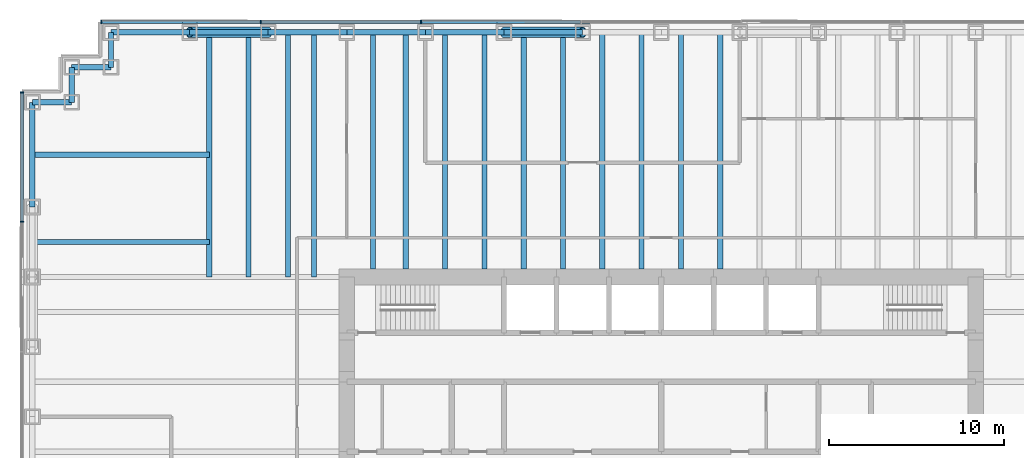
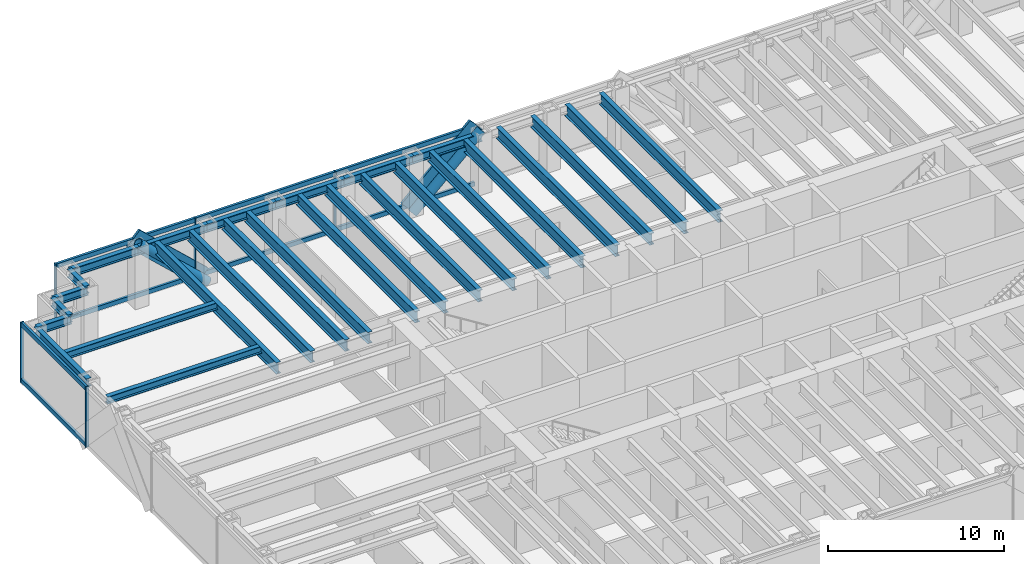
# One storey, part 6 of 15: 27 beams, 17 members, 2 elements without a shape of their own.
"""IFC4 building model written with IfcOpenShell, lengths in metres."""

import ifcopenshell
import ifcopenshell.guid

model = None  # the IFC model being written
_history = None  # IfcOwnerHistory: only IFC2X3 demands one
_inside = {}  # id of a spatial element -> (the spatial element, [elements in it])
_under = {}  # id of a project, library or spatial element -> (it, [spatial elements below it])
_declared = {}  # id of a project -> (the project, [libraries it declares])
_typed = {}  # id of a type object -> (the type object, [elements of that type])
_made_of = {}  # id of a material, layer set ... -> (it, [elements and type objects made of it])


def new_model(schema):
    """Start an empty IFC model of exactly this schema.

    Asked for "IFC4X3", IfcOpenShell would pick the latest addendum, in which some entities
    have other attributes; the version numbers below select the first issue.
    IFC2X3 requires an IfcOwnerHistory on every rooted entity: one is made here for all.
    """
    global model, _history
    if schema == "IFC4X3":
        model = ifcopenshell.file(schema_version=(4, 3, 0, 0))
    else:
        model = ifcopenshell.file(schema=schema)
    _inside.clear()
    _under.clear()
    _declared.clear()
    _typed.clear()
    _made_of.clear()
    _history = None
    if model.schema == "IFC2X3":
        org = make("IfcOrganization", Name="unknown")
        user = make(
            "IfcPersonAndOrganization",
            ThePerson=make("IfcPerson", FamilyName="unknown"),
            TheOrganization=org,
        )
        app = make(
            "IfcApplication",
            ApplicationDeveloper=org,
            Version="unknown",
            ApplicationFullName="unknown",
            ApplicationIdentifier="unknown",
        )
        _history = make(
            "IfcOwnerHistory",
            OwningUser=user,
            OwningApplication=app,
            ChangeAction="ADDED",
            CreationDate=0,
        )
    return model


def make(cls, **values):
    """One entity of the class cls with the attributes given. An attribute that is None is left unset."""
    return model.create_entity(
        cls, **{name: value for name, value in values.items() if value is not None}
    )


def rooted(cls, **values):
    """An entity with a GlobalId (a new one), such as an element, a storey or a relation."""
    return make(cls, GlobalId=ifcopenshell.guid.new(), OwnerHistory=_history, **values)


def si_unit(unit_type, name, prefix=None):
    """IfcSIUnit, for example si_unit("LENGTHUNIT", "METRE", prefix="MILLI")."""
    return make("IfcSIUnit", UnitType=unit_type, Prefix=prefix, Name=name)


def assignment(units):
    """IfcUnitAssignment: the units of a project."""
    return None if units is None else make("IfcUnitAssignment", Units=units)


def point(xyz):
    """IfcCartesianPoint."""
    return None if xyz is None else make("IfcCartesianPoint", Coordinates=xyz)


def direction(xyz):
    """IfcDirection."""
    return None if xyz is None else make("IfcDirection", DirectionRatios=xyz)


def frame(location, z_axis=None, x_axis=None):
    """IfcAxis2Placement3D, a coordinate frame: its origin and axes. An axis left out is left unset."""
    return make(
        "IfcAxis2Placement3D",
        Location=point(location),
        Axis=direction(z_axis),
        RefDirection=direction(x_axis),
    )


def frame_2d(location, x_axis=None):
    """IfcAxis2Placement2D, a coordinate frame in the plane: its origin and x axis."""
    return make(
        "IfcAxis2Placement2D", Location=point(location), RefDirection=direction(x_axis)
    )


def origin():
    """The frame at (0, 0, 0) with its axes left unset."""
    return frame((0.0, 0.0, 0.0))


def origin_2d():
    """The frame at (0, 0) in the plane with its x axis left unset."""
    return frame_2d((0.0, 0.0))


def place(relative_to, where):
    """IfcLocalPlacement: puts the frame where relative to a parent placement (None: the world)."""
    return make(
        "IfcLocalPlacement", PlacementRelTo=relative_to, RelativePlacement=where
    )


def context(
    kind, dimensions, precision=None, world=None, true_north=None, identifier=None
):
    """IfcGeometricRepresentationContext, for example the 3D "Model" context."""
    return make(
        "IfcGeometricRepresentationContext",
        ContextIdentifier=identifier,
        ContextType=kind,
        CoordinateSpaceDimension=dimensions,
        Precision=precision,
        WorldCoordinateSystem=world,
        TrueNorth=true_north,
    )


def subcontext(parent, identifier, kind, view, scale=None):
    """IfcGeometricRepresentationSubContext, for example "Body" below "Model"."""
    return make(
        "IfcGeometricRepresentationSubContext",
        ContextIdentifier=identifier,
        ContextType=kind,
        ParentContext=parent,
        TargetScale=scale,
        TargetView=view,
    )


def project(units=None, contexts=None):
    """IfcProject with its units and contexts."""
    return rooted(
        "IfcProject",
        Name="project",
        RepresentationContexts=contexts,
        UnitsInContext=assignment(units),
    )


def spatial(cls, under=None, at=None, **own):
    """A site, building, storey or space (cls), placed at a placement, below another one or the project."""
    s = rooted(cls, ObjectPlacement=at, **own)
    if under is not None:
        _under.setdefault(under.id(), (under, []))[1].append(s)
    return s


def profile(cls, at=None, kind="AREA", **sizes):
    """A parametric profile (cls). Its sizes go by their IFC names, for example OverallWidth=200.0."""
    return make(cls, ProfileType=kind, Position=at, **sizes)


def rectangle(**sizes):
    """IfcRectangleProfileDef."""
    return profile("IfcRectangleProfileDef", **sizes)


def hollow_circle(**sizes):
    """IfcCircleHollowProfileDef."""
    return profile("IfcCircleHollowProfileDef", **sizes)


def i_section(**sizes):
    """IfcIShapeProfileDef."""
    return profile("IfcIShapeProfileDef", **sizes)


def extrude(swept, where, along, depth):
    """IfcExtrudedAreaSolid: the profile swept, set in the frame where, extruded along a direction by depth."""
    return make(
        "IfcExtrudedAreaSolid",
        SweptArea=swept,
        Position=where,
        ExtrudedDirection=direction(along),
        Depth=depth,
    )


def shape(context_of_items, identifier, shape_type, items):
    """IfcShapeRepresentation: the items that make up one representation, for example the "Body"."""
    return make(
        "IfcShapeRepresentation",
        ContextOfItems=context_of_items,
        RepresentationIdentifier=identifier,
        RepresentationType=shape_type,
        Items=items,
    )


def material(Name=None, Category=None):
    """IfcMaterial."""
    return make("IfcMaterial", Name=Name, Category=Category)


def material_profile(
    of_material, cross_section, Name=None, Category=None, Priority=None
):
    """IfcMaterialProfile: a cross section and its material."""
    return make(
        "IfcMaterialProfile",
        Name=Name,
        Material=of_material,
        Profile=cross_section,
        Priority=Priority,
        Category=Category,
    )


def profile_set(profiles, Name=None, composite=None):
    """IfcMaterialProfileSet."""
    return make(
        "IfcMaterialProfileSet",
        Name=Name,
        MaterialProfiles=profiles,
        CompositeProfile=composite,
    )


def made_of(thing, what):
    """Note that an element or type object is made of a material, layer set ...; save() writes the relation."""
    if what is not None:
        _made_of.setdefault(what.id(), (what, []))[1].append(thing)
    return thing


def type_object(cls, material=None, **own):
    """A type object (cls), such as IfcWallType, which elements share."""
    return made_of(rooted(cls, **own), material)


def element(
    cls,
    number,
    at=None,
    inside=None,
    cuts=None,
    type_object=None,
    material=None,
    context=None,
    identifier="Body",
    shape_type=None,
    held_by="IfcProductDefinitionShape",
    body=None,
    shapes=None,
    **own,
):
    """One element of the class cls, such as IfcWall. Its Tag is "e" and its number.

    at: its placement. inside: the storey or other place that contains it. cuts: it is an
    opening in that element (IfcRelVoidsElement). A single representation is given by context,
    identifier, shape_type and body (its items); several are given by shapes. held_by: the class
    of the entity that holds the representations. save() writes the other relations.
    """
    e = rooted(cls, Tag="e%d" % number, ObjectPlacement=at, **own)
    if body is not None:
        shapes = [shape(context, identifier, shape_type, body)]
    if shapes is not None:
        e.Representation = make(held_by, Representations=shapes)
    if inside is not None:
        _inside.setdefault(inside.id(), (inside, []))[1].append(e)
    if cuts is not None:
        rooted(
            "IfcRelVoidsElement", RelatingBuildingElement=cuts, RelatedOpeningElement=e
        )
    if type_object is not None:
        _typed.setdefault(type_object.id(), (type_object, []))[1].append(e)
    return made_of(e, material)


def aggregate(whole, parts):
    """IfcRelAggregates: a whole, such as a stair, and the parts it consists of."""
    return rooted("IfcRelAggregates", RelatingObject=whole, RelatedObjects=parts)


def save(model, path):
    """Write the relations noted so far, then the file.

    IfcRelAggregates (storeys below a building ...), IfcRelContainedInSpatialStructure (elements
    in a storey), IfcRelDefinesByType, IfcRelAssociatesMaterial and IfcRelDeclares: one each for
    every whole, place, type object, material and project.
    """
    for whole, parts in _under.values():
        aggregate(whole, parts)
    for where, things in _inside.values():
        rooted(
            "IfcRelContainedInSpatialStructure",
            RelatedElements=things,
            RelatingStructure=where,
        )
    for kind, things in _typed.values():
        rooted("IfcRelDefinesByType", RelatedObjects=things, RelatingType=kind)
    for what, things in _made_of.values():
        rooted("IfcRelAssociatesMaterial", RelatedObjects=things, RelatingMaterial=what)
    for by, libraries in _declared.values():
        rooted("IfcRelDeclares", RelatingContext=by, RelatedDefinitions=libraries)
    model.write(path)


model = new_model("IFC4")

# Units and contexts
model_context = context("Model", 3, precision=1e-05, world=origin(), true_north=direction((0.0, 1.0)))
body_context = subcontext(model_context, "Body", "Model", "MODEL_VIEW")
ifc_project = project(units=[si_unit("LENGTHUNIT", "METRE"), si_unit("AREAUNIT", "SQUARE_METRE"), si_unit("VOLUMEUNIT", "CUBIC_METRE"), si_unit("PLANEANGLEUNIT", "RADIAN"), si_unit("MASSUNIT", "GRAM", prefix="KILO")], contexts=[model_context])

# Site, building, storey
site_placement = place(None, origin())
site = spatial("IfcSite", under=ifc_project, at=site_placement, CompositionType="ELEMENT")
building_placement = place(site_placement, origin())
building = spatial("IfcBuilding", under=site, at=building_placement, Name="Rheinbord Bourse Tower", CompositionType="ELEMENT")
storey_placement = place(building_placement, frame((0.0, 0.0, 146.699951171875)))
storey = spatial("IfcBuildingStorey", under=building, at=storey_placement, Name="L32", CompositionType="ELEMENT", Elevation=146.699951171875)

# Curtain wall, members
ifc_material_1 = material(Name="Dark glass and black aluminium", Category="aluminium")
curtain_wall_type = type_object("IfcCurtainWallType", Name="CW2 DARK GLASS CURTAIN WALL", PredefinedType="USERDEFINED", material=ifc_material_1)
curtain_wall_1_placement = place(storey_placement, origin())
curtain_wall_1 = element("IfcCurtainWall", 1, at=curtain_wall_1_placement, inside=storey, type_object=curtain_wall_type, Name="Curtain wall CW2 N L32", ObjectType="UNITISED CURTAIN WALL", PredefinedType="USERDEFINED")
ifc_material_2 = material(Name="Black anodised aluminium", Category="aluminium")
ifc_material_profile_1 = material_profile(ifc_material_2, rectangle(XDim=0.159912109375, YDim=1.2099609375, at=origin_2d()), Name="CW2 DIAGONAL MULLION 1210x160")
ifc_profile_set_1 = profile_set([ifc_material_profile_1], Name="Black anodised aluminium")
member_type_1 = type_object("IfcMemberType", Name="CW2 BLACK DIAGONAL MULLION", PredefinedType="USERDEFINED", material=ifc_profile_set_1)
member_1_placement = place(storey_placement, frame((27.0, 46.60009765625, 0.0), z_axis=(0.73105922506, 0.0, 0.682314010889), x_axis=(0.0, 1.0, 0.0)))
member_1 = element("IfcMember", 2, at=member_1_placement, type_object=member_type_1, Name="CW2 diagonal mullion a", ObjectType="DIAGONAL MULLION", PredefinedType="USERDEFINED", context=body_context, shape_type="SweptSolid", body=[
    extrude(rectangle(XDim=0.159912109375, YDim=1.2099609375, at=origin_2d()), origin(), (0.0, 0.0, 1.0), 6.155517578125),
])
member_2_placement = place(storey_placement, frame((13.5, 46.60009765625, 0.0), z_axis=(-0.73105922506, 0.0, 0.682314010889), x_axis=(0.0, -1.0, 0.0)))
member_2 = element("IfcMember", 3, at=member_2_placement, type_object=member_type_1, Name="CW2 diagonal mullion d", ObjectType="DIAGONAL MULLION", PredefinedType="USERDEFINED", context=body_context, shape_type="SweptSolid", body=[
    extrude(rectangle(XDim=0.159912109375, YDim=1.2099609375, at=origin_2d()), origin(), (0.0, 0.0, 1.0), 6.155517578125),
])
ifc_material_3 = material(Name="Black anodised aluminium", Category="aluminium")
ifc_material_profile_2 = material_profile(ifc_material_3, rectangle(XDim=0.219970703125, YDim=0.070068359375, at=origin_2d()), Name="CW2 MULLION 70x220")
ifc_profile_set_2 = profile_set([ifc_material_profile_2], Name="Black anodised aluminium")
member_type_2 = type_object("IfcMemberType", Name="CW2 BLACK MULLION", PredefinedType="MULLION", material=ifc_profile_set_2)
member_3_placement = place(storey_placement, frame((22.242919921875, 46.60009765625, 0.0), z_axis=(0.0, 0.0, 1.0), x_axis=(0.0, -1.0, 0.0)))
member_3 = element("IfcMember", 4, at=member_3_placement, type_object=member_type_2, Name="CW2 mullion 6", PredefinedType="MULLION", context=body_context, shape_type="SweptSolid", body=[
    extrude(rectangle(XDim=0.219970703125, YDim=0.070068359375, at=origin_2d()), origin(), (0.0, 0.0, 1.0), 4.199951171875),
])
member_4_placement = place(storey_placement, frame((13.071533203125, 46.60009765625, 0.0), z_axis=(0.0, 0.0, 1.0), x_axis=(0.0, -1.0, 0.0)))
member_4 = element("IfcMember", 5, at=member_4_placement, type_object=member_type_2, Name="CW2 mullion 7", PredefinedType="MULLION", context=body_context, shape_type="SweptSolid", body=[
    extrude(rectangle(XDim=0.219970703125, YDim=0.070068359375, at=origin_2d()), origin(), (0.0, 0.0, 1.0), 4.199951171875),
])
member_5_placement = place(storey_placement, frame((3.93505859375, 46.60009765625, 0.0), z_axis=(0.0, 0.0, 1.0), x_axis=(0.0, -1.0, 0.0)))
member_5 = element("IfcMember", 6, at=member_5_placement, type_object=member_type_2, Name="CW2 mullion 8", PredefinedType="MULLION", context=body_context, shape_type="SweptSolid", body=[
    extrude(rectangle(XDim=0.219970703125, YDim=0.070068359375, at=origin_2d()), origin(), (0.0, 0.0, 1.0), 4.199951171875),
])

curtain_wall_2_placement = place(storey_placement, origin())
curtain_wall_2 = element("IfcCurtainWall", 7, at=curtain_wall_2_placement, inside=storey, type_object=curtain_wall_type, Name="Curtain wall CW2 W L32", ObjectType="UNITISED CURTAIN WALL", PredefinedType="USERDEFINED")
member_6_placement = place(storey_placement, frame((-0.60009765625, 42.56494140625, 0.0), z_axis=(0.0, 0.0, 1.0), x_axis=(1.0, 0.0, 0.0)))
member_6 = element("IfcMember", 8, at=member_6_placement, type_object=member_type_2, Name="CW2 mullion 1", PredefinedType="MULLION", context=body_context, shape_type="SweptSolid", body=[
    extrude(rectangle(XDim=0.219970703125, YDim=0.070068359375, at=origin_2d()), origin(), (0.0, 0.0, 1.0), 4.199951171875),
])
member_7_placement = place(storey_placement, frame((-0.60009765625, 35.159912109375, 0.0), z_axis=(0.0, 0.0, 1.0), x_axis=(1.0, 0.0, 0.0)))
member_7 = element("IfcMember", 9, at=member_7_placement, type_object=member_type_2, Name="CW2 mullion 2", PredefinedType="MULLION", context=body_context, shape_type="SweptSolid", body=[
    extrude(rectangle(XDim=0.219970703125, YDim=0.070068359375, at=origin_2d()), origin(), (0.0, 0.0, 1.0), 4.199951171875),
])

# Member
ifc_material_4 = material(Name="Black anodised aluminium", Category="aluminium")
ifc_material_profile_3 = material_profile(ifc_material_4, rectangle(XDim=0.159912109375, YDim=0.300048828125, at=origin_2d()), Name="CW2 TRANSOM 300x160")
ifc_profile_set_3 = profile_set([ifc_material_profile_3], Name="Black anodised aluminium")
member_type_3 = type_object("IfcMemberType", Name="CW2 BLACK TRANSOM", PredefinedType="USERDEFINED", material=ifc_profile_set_3)
member_8_placement = place(storey_placement, frame((31.37939453125, 46.60009765625, 0.150146484375), z_axis=(-1.0, 0.0, 0.0), x_axis=(0.0, -1.0, 0.0)))
member_8 = element("IfcMember", 10, at=member_8_placement, type_object=member_type_3, Name="CW2 transom 5.1", ObjectType="TRANSOM", PredefinedType="USERDEFINED", context=body_context, shape_type="SweptSolid", body=[
    extrude(rectangle(XDim=0.159912109375, YDim=0.300048828125, at=origin_2d()), origin(), (0.0, 0.0, 1.0), 9.1015625),
])

member_9_placement = place(storey_placement, frame((31.37939453125, 46.60009765625, 4.050048828125), z_axis=(-1.0, 0.0, 0.0), x_axis=(0.0, -1.0, 0.0)))
member_9 = element("IfcMember", 11, at=member_9_placement, type_object=member_type_3, Name="CW2 transom 5.2", ObjectType="TRANSOM", PredefinedType="USERDEFINED", context=body_context, shape_type="SweptSolid", body=[
    extrude(rectangle(XDim=0.159912109375, YDim=0.300048828125, at=origin_2d()), origin(), (0.0, 0.0, 1.0), 9.1015625),
])

member_10_placement = place(storey_placement, frame((22.207763671875, 46.60009765625, 0.150146484375), z_axis=(-1.0, 0.0, 0.0), x_axis=(0.0, -1.0, 0.0)))
member_10 = element("IfcMember", 12, at=member_10_placement, type_object=member_type_3, Name="CW2 transom 6.1", ObjectType="TRANSOM", PredefinedType="USERDEFINED", context=body_context, shape_type="SweptSolid", body=[
    extrude(rectangle(XDim=0.159912109375, YDim=0.300048828125, at=origin_2d()), origin(), (0.0, 0.0, 1.0), 9.101318359375),
])

member_11_placement = place(storey_placement, frame((22.207763671875, 46.60009765625, 4.050048828125), z_axis=(-1.0, 0.0, 0.0), x_axis=(0.0, -1.0, 0.0)))
member_11 = element("IfcMember", 13, at=member_11_placement, type_object=member_type_3, Name="CW2 transom 6.2", ObjectType="TRANSOM", PredefinedType="USERDEFINED", context=body_context, shape_type="SweptSolid", body=[
    extrude(rectangle(XDim=0.159912109375, YDim=0.300048828125, at=origin_2d()), origin(), (0.0, 0.0, 1.0), 9.101318359375),
])

member_12_placement = place(storey_placement, frame((13.036376953125, 46.60009765625, 0.150146484375), z_axis=(-1.0, 0.0, 0.0), x_axis=(0.0, -1.0, 0.0)))
member_12 = element("IfcMember", 14, at=member_12_placement, type_object=member_type_3, Name="CW2 transom 7.1", ObjectType="TRANSOM", PredefinedType="USERDEFINED", context=body_context, shape_type="SweptSolid", body=[
    extrude(rectangle(XDim=0.159912109375, YDim=0.300048828125, at=origin_2d()), origin(), (0.0, 0.0, 1.0), 9.06640625),
])

member_13_placement = place(storey_placement, frame((13.036376953125, 46.60009765625, 4.050048828125), z_axis=(-1.0, 0.0, 0.0), x_axis=(0.0, -1.0, 0.0)))
member_13 = element("IfcMember", 15, at=member_13_placement, type_object=member_type_3, Name="CW2 transom 7.2", ObjectType="TRANSOM", PredefinedType="USERDEFINED", context=body_context, shape_type="SweptSolid", body=[
    extrude(rectangle(XDim=0.159912109375, YDim=0.300048828125, at=origin_2d()), origin(), (0.0, 0.0, 1.0), 9.06640625),
])

aggregate(curtain_wall_1, [member_3, member_4, member_5, member_8, member_9, member_10, member_11, member_12, member_13, member_1, member_2])

member_14_placement = place(storey_placement, frame((-0.60009765625, 42.530029296875, 0.150146484375), z_axis=(0.0, -1.0, 0.0), x_axis=(1.0, 0.0, 0.0)))
member_14 = element("IfcMember", 16, at=member_14_placement, type_object=member_type_3, Name="CW2 transom 1.1", ObjectType="TRANSOM", PredefinedType="USERDEFINED", context=body_context, shape_type="SweptSolid", body=[
    extrude(rectangle(XDim=0.159912109375, YDim=0.300048828125, at=origin_2d()), origin(), (0.0, 0.0, 1.0), 7.3349609375),
])

member_15_placement = place(storey_placement, frame((-0.60009765625, 42.530029296875, 4.050048828125), z_axis=(0.0, -1.0, 0.0), x_axis=(1.0, 0.0, 0.0)))
member_15 = element("IfcMember", 17, at=member_15_placement, type_object=member_type_3, Name="CW2 transom 1.2", ObjectType="TRANSOM", PredefinedType="USERDEFINED", context=body_context, shape_type="SweptSolid", body=[
    extrude(rectangle(XDim=0.159912109375, YDim=0.300048828125, at=origin_2d()), origin(), (0.0, 0.0, 1.0), 7.3349609375),
])

aggregate(curtain_wall_2, [member_6, member_7, member_14, member_15])

# Beams
ifc_material_5 = material(Name="Steel S460", Category="steel")
ifc_material_profile_4 = material_profile(ifc_material_5, i_section(OverallWidth=0.300048828125, OverallDepth=0.800048828125, WebThickness=0.017578125, FlangeThickness=0.032958984375, at=origin_2d()), Name="HEB 800")
ifc_profile_set_4 = profile_set([ifc_material_profile_4], Name="Steel S460")
beam_type_1 = type_object("IfcBeamType", Name="FLOOR BEAM HEB 800", PredefinedType="BEAM", material=ifc_profile_set_4)
for number, where, z_axis, x_axis, name in (
    (18, (10.125, 46.0, 3.64013671875), (0.0, -1.0, 0.0), (1.0, 0.0, 0.0), "Floor beam N-9a L33"),
    (19, (12.375, 46.0, 3.64013671875), (0.0, -1.0, 0.0), (1.0, 0.0, 0.0), "Floor beam N-9b L33"),
    (20, (14.625, 46.0, 3.64013671875), (0.0, -1.0, 0.0), (1.0, 0.0, 0.0), "Floor beam N-13.5a L33"),
    (21, (16.125, 46.0, 3.64013671875), (0.0, -1.0, 0.0), (1.0, 0.0, 0.0), "Floor beam N-13.5b L33"),
):
    element("IfcBeam", number, at=place(storey_placement, frame(where, z_axis=z_axis, x_axis=x_axis)), inside=storey, type_object=beam_type_1, Name=name, PredefinedType="BEAM", context=body_context, shape_type="SweptSolid", body=[
        extrude(i_section(OverallWidth=0.300048828125, OverallDepth=0.800048828125, WebThickness=0.017578125, FlangeThickness=0.032958984375, at=origin_2d()), origin(), (0.0, 0.0, 1.0), 14.0),
    ])
for number, where, z_axis, x_axis, name in (
    (22, (19.5, 46.0, 3.64013671875), (0.0, -1.0, 0.0), (1.0, 0.0, 0.0), "Floor beam N-18a L33"),
    (23, (21.375, 46.0, 3.64013671875), (0.0, -1.0, 0.0), (1.0, 0.0, 0.0), "Floor beam N-18b L33"),
    (24, (23.625, 46.0, 3.64013671875), (0.0, -1.0, 0.0), (1.0, 0.0, 0.0), "Floor beam N-22.5a L33"),
    (25, (25.875, 46.0, 3.64013671875), (0.0, -1.0, 0.0), (1.0, 0.0, 0.0), "Floor beam N-22.5b L33"),
    (26, (28.125, 46.0, 3.64013671875), (0.0, -1.0, 0.0), (1.0, 0.0, 0.0), "Floor beam N-27a L33"),
    (27, (30.375, 46.0, 3.64013671875), (0.0, -1.0, 0.0), (1.0, 0.0, 0.0), "Floor beam N-27b L33"),
    (28, (32.625, 46.0, 3.64013671875), (0.0, -1.0, 0.0), (1.0, 0.0, 0.0), "Floor beam N-31.5a L33"),
    (29, (34.875, 46.0, 3.64013671875), (0.0, -1.0, 0.0), (1.0, 0.0, 0.0), "Floor beam N-31.5b L33"),
    (30, (37.125, 46.0, 3.64013671875), (0.0, -1.0, 0.0), (1.0, 0.0, 0.0), "Floor beam N-36a L33"),
    (31, (39.375, 46.0, 3.64013671875), (0.0, -1.0, 0.0), (1.0, 0.0, 0.0), "Floor beam N-36b L33"),
):
    element("IfcBeam", number, at=place(storey_placement, frame(where, z_axis=z_axis, x_axis=x_axis)), inside=storey, type_object=beam_type_1, Name=name, PredefinedType="BEAM", context=body_context, shape_type="SweptSolid", body=[
        extrude(i_section(OverallWidth=0.300048828125, OverallDepth=0.800048828125, WebThickness=0.017578125, FlangeThickness=0.032958984375, at=origin_2d()), origin(), (0.0, 0.0, 1.0), 13.550048828125),
    ])

# Members
ifc_material_6 = material(Name="Steel S460", Category="steel")
ifc_material_profile_5 = material_profile(ifc_material_6, hollow_circle(Radius=0.304931640625, WallThickness=0.0400390625, at=origin_2d()), Name="CHS 610x40")
ifc_profile_set_5 = profile_set([ifc_material_profile_5], Name="Steel S460")
member_type_4 = type_object("IfcMemberType", Name="MEGABRACE CHS 610x40", PredefinedType="BRACE", material=ifc_profile_set_5)
for number, where, z_axis, x_axis, name in (
    (32, (27.0, 46.0, 0.0), (0.73105922506, 0.0, 0.682314010889), (0.0, 1.0, 0.0), "Megabrace N face line a L32"),
    (33, (13.5, 46.0, 0.0), (-0.73105922506, 0.0, 0.682314010889), (0.0, -1.0, 0.0), "Megabrace N face line d L32"),
):
    element("IfcMember", number, at=place(storey_placement, frame(where, z_axis=z_axis, x_axis=x_axis)), inside=storey, type_object=member_type_4, Name=name, PredefinedType="BRACE", context=body_context, shape_type="SweptSolid", body=[
        extrude(hollow_circle(Radius=0.304931640625, WallThickness=0.0400390625, at=origin_2d()), origin(), (0.0, 0.0, 1.0), 6.155517578125),
    ])

# Beams
ifc_material_7 = material(Name="Steel S460", Category="steel")
ifc_material_profile_6 = material_profile(ifc_material_7, i_section(OverallWidth=0.305908203125, OverallDepth=0.572021484375, WebThickness=0.02099609375, FlangeThickness=0.0400390625, at=origin_2d()), Name="HEM 550")
ifc_profile_set_6 = profile_set([ifc_material_profile_6], Name="Steel S460")
beam_type_2 = type_object("IfcBeamType", Name="SPANDREL HEM 550", PredefinedType="SPANDREL", material=ifc_profile_set_6)
for number, where, z_axis, x_axis, name in (
    (34, (31.5, 46.0, 3.754150390625), (-1.0, 0.0, 0.0), (0.0, -1.0, 0.0), "Spandrel N-31.5-N-27 under L33"),
    (35, (27.0, 46.0, 3.754150390625), (-1.0, 0.0, 0.0), (0.0, -1.0, 0.0), "Spandrel N-27-N-22.5 under L33"),
    (36, (22.5, 46.0, 3.754150390625), (-1.0, 0.0, 0.0), (0.0, -1.0, 0.0), "Spandrel N-22.5-N-18 under L33"),
    (37, (18.0, 46.0, 3.754150390625), (-1.0, 0.0, 0.0), (0.0, -1.0, 0.0), "Spandrel N-18-N-13.5 under L33"),
    (38, (13.5, 46.0, 3.754150390625), (-1.0, 0.0, 0.0), (0.0, -1.0, 0.0), "Spandrel N-13.5-N-9 under L33"),
    (39, (9.0, 46.0, 3.754150390625), (-1.0, 0.0, 0.0), (0.0, -1.0, 0.0), "Spandrel N-9-NW-E under L33"),
):
    element("IfcBeam", number, at=place(storey_placement, frame(where, z_axis=z_axis, x_axis=x_axis)), inside=storey, type_object=beam_type_2, Name=name, PredefinedType="SPANDREL", context=body_context, shape_type="SweptSolid", body=[
        extrude(i_section(OverallWidth=0.305908203125, OverallDepth=0.572021484375, WebThickness=0.02099609375, FlangeThickness=0.0400390625, at=origin_2d()), origin(), (0.0, 0.0, 1.0), 4.5),
    ])
beam_1_placement = place(storey_placement, frame((4.5, 46.0, 3.754150390625), z_axis=(0.0, -1.0, 0.0), x_axis=(1.0, 0.0, 0.0)))
element("IfcBeam", 40, at=beam_1_placement, inside=storey, type_object=beam_type_2, Name="Spandrel NW-E-NW-D under L33", PredefinedType="SPANDREL", context=body_context, shape_type="SweptSolid", body=[
    extrude(i_section(OverallWidth=0.305908203125, OverallDepth=0.572021484375, WebThickness=0.02099609375, FlangeThickness=0.0400390625, at=origin_2d()), origin(), (0.0, 0.0, 1.0), 2.0),
])
beam_2_placement = place(storey_placement, frame((4.5, 44.0, 3.754150390625), z_axis=(-1.0, 0.0, 0.0), x_axis=(0.0, -1.0, 0.0)))
element("IfcBeam", 41, at=beam_2_placement, inside=storey, type_object=beam_type_2, Name="Spandrel NW-D-NW-C under L33", PredefinedType="SPANDREL", context=body_context, shape_type="SweptSolid", body=[
    extrude(i_section(OverallWidth=0.305908203125, OverallDepth=0.572021484375, WebThickness=0.02099609375, FlangeThickness=0.0400390625, at=origin_2d()), origin(), (0.0, 0.0, 1.0), 2.25),
])
beam_3_placement = place(storey_placement, frame((2.25, 44.0, 3.754150390625), z_axis=(0.0, -1.0, 0.0), x_axis=(1.0, 0.0, 0.0)))
element("IfcBeam", 42, at=beam_3_placement, inside=storey, type_object=beam_type_2, Name="Spandrel NW-C-NW-B under L33", PredefinedType="SPANDREL", context=body_context, shape_type="SweptSolid", body=[
    extrude(i_section(OverallWidth=0.305908203125, OverallDepth=0.572021484375, WebThickness=0.02099609375, FlangeThickness=0.0400390625, at=origin_2d()), origin(), (0.0, 0.0, 1.0), 2.0),
])
beam_4_placement = place(storey_placement, frame((2.25, 42.0, 3.754150390625), z_axis=(-1.0, 0.0, 0.0), x_axis=(0.0, -1.0, 0.0)))
element("IfcBeam", 43, at=beam_4_placement, inside=storey, type_object=beam_type_2, Name="Spandrel NW-B-NW-A under L33", PredefinedType="SPANDREL", context=body_context, shape_type="SweptSolid", body=[
    extrude(i_section(OverallWidth=0.305908203125, OverallDepth=0.572021484375, WebThickness=0.02099609375, FlangeThickness=0.0400390625, at=origin_2d()), origin(), (0.0, 0.0, 1.0), 2.25),
])
beam_5_placement = place(storey_placement, frame((0.0, 42.0, 3.754150390625), z_axis=(0.0, -1.0, 0.0), x_axis=(1.0, 0.0, 0.0)))
element("IfcBeam", 44, at=beam_5_placement, inside=storey, type_object=beam_type_2, Name="Spandrel NW-A-W-36 under L33", PredefinedType="SPANDREL", context=body_context, shape_type="SweptSolid", body=[
    extrude(i_section(OverallWidth=0.305908203125, OverallDepth=0.572021484375, WebThickness=0.02099609375, FlangeThickness=0.0400390625, at=origin_2d()), origin(), (0.0, 0.0, 1.0), 6.0),
])
ifc_material_8 = material(Name="Steel S460", Category="steel")
ifc_material_profile_7 = material_profile(ifc_material_8, i_section(OverallWidth=0.300048828125, OverallDepth=0.5, WebThickness=0.014404296875, FlangeThickness=0.028076171875, at=origin_2d()), Name="HEB 500")
ifc_profile_set_7 = profile_set([ifc_material_profile_7], Name="Steel S460")
beam_type_3 = type_object("IfcBeamType", Name="TIE BEAM HEB 500", PredefinedType="JOIST", material=ifc_profile_set_7)
for number, where, z_axis, x_axis, name in (
    (45, (0.0, 34.0, 3.7900390625), (1.0, 0.0, 0.0), (0.0, 1.0, 0.0), "Tie west 34 L33"),
    (46, (0.0, 39.0, 3.7900390625), (1.0, 0.0, 0.0), (0.0, 1.0, 0.0), "Tie west 39 L33"),
):
    element("IfcBeam", number, at=place(storey_placement, frame(where, z_axis=z_axis, x_axis=x_axis)), inside=storey, type_object=beam_type_3, Name=name, PredefinedType="JOIST", context=body_context, shape_type="SweptSolid", body=[
        extrude(i_section(OverallWidth=0.300048828125, OverallDepth=0.5, WebThickness=0.014404296875, FlangeThickness=0.028076171875, at=origin_2d()), origin(), (0.0, 0.0, 1.0), 10.125),
    ])

save(model, "model.ifc")
